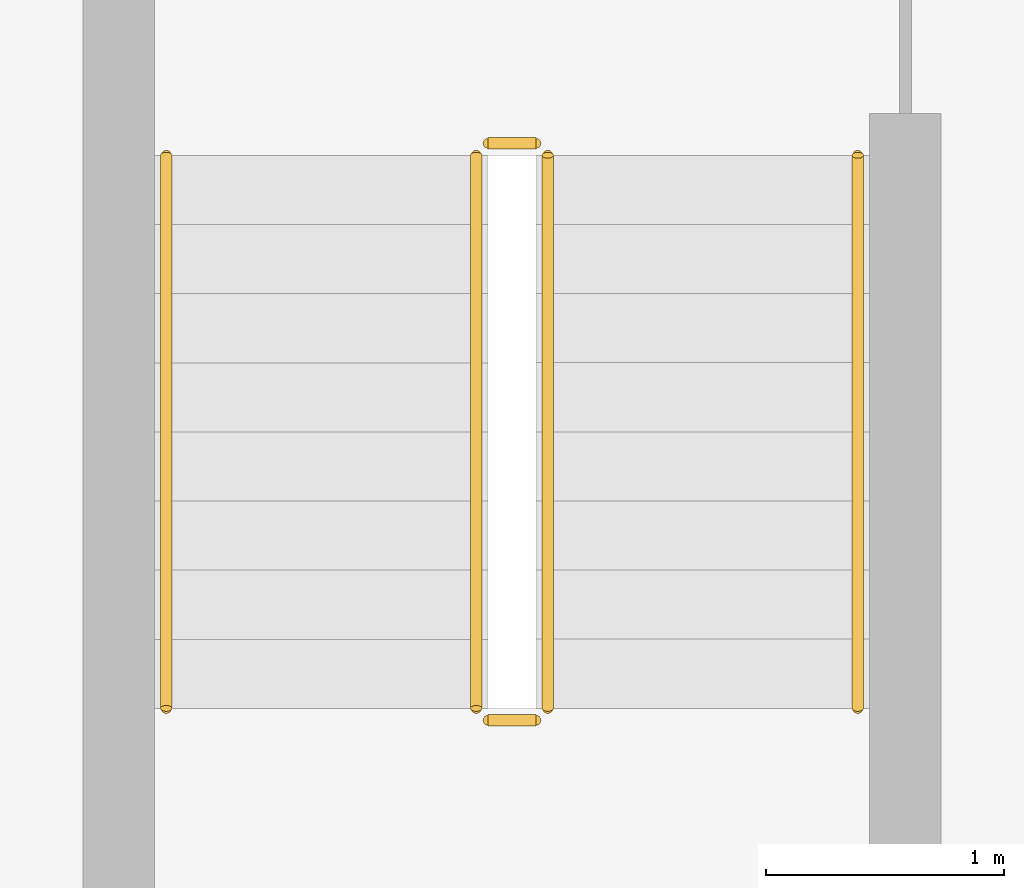
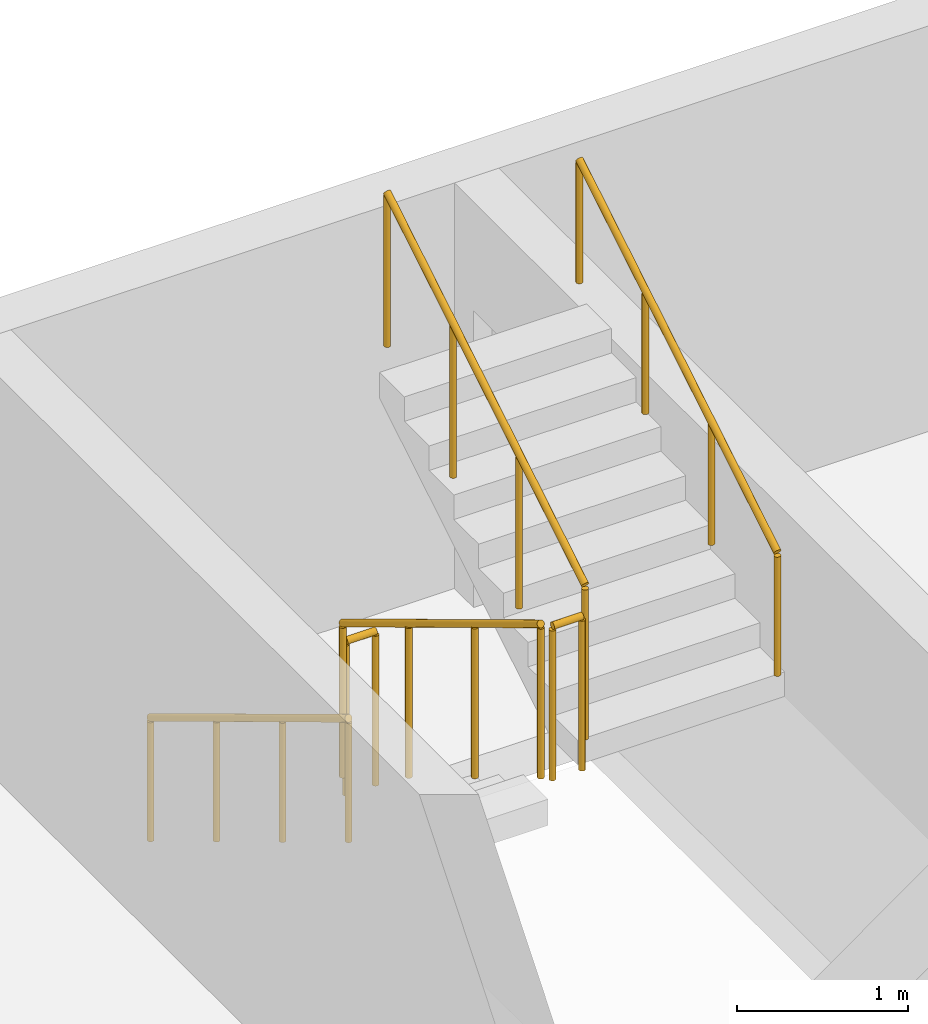
# One storey, part 24 of 29: 6 railings.
"""IFC4 building model written with IfcOpenShell, lengths in metres."""

from ifc_helpers import new_model, si_unit, derived_unit, direction, frame, origin, origin_2d, place, context, subcontext, project, spatial, circle, extrude, material, type_object, element, save


model = new_model("IFC4")

# Units and contexts
model_context = context("Model", 3, precision=1e-05, world=origin(), true_north=direction((0.0, 1.0)))
body_context = subcontext(model_context, "Body", "Model", "MODEL_VIEW")
ifc_project = project(units=[si_unit("LENGTHUNIT", "METRE"), si_unit("AREAUNIT", "SQUARE_METRE"), si_unit("VOLUMEUNIT", "CUBIC_METRE"), si_unit("PLANEANGLEUNIT", "RADIAN"), si_unit("MASSUNIT", "GRAM", prefix="KILO"), derived_unit("THERMALTRANSMITTANCEUNIT", [(si_unit("MASSUNIT", "GRAM", prefix="KILO"), 1), (si_unit("TIMEUNIT", "SECOND"), -3), (si_unit("THERMODYNAMICTEMPERATUREUNIT", "KELVIN"), -1)])], contexts=[model_context])

# Site, building, storey
site_placement = place(None, origin())
site = spatial("IfcSite", under=ifc_project, at=site_placement, CompositionType="ELEMENT")
building_placement = place(site_placement, origin())
building = spatial("IfcBuilding", under=site, at=building_placement, Name="Ochrekiln Boulevard Commons", CompositionType="ELEMENT")
storey_placement = place(building_placement, frame((0.0, 0.0, 37.27490234375)))
storey = spatial("IfcBuildingStorey", under=building, at=storey_placement, Name="L11", CompositionType="ELEMENT", Elevation=37.27490234375)

# Railings
ifc_material = material(Name="Brushed stainless steel 316 tubular railing", Category="steel")
railing_type_1 = type_object("IfcRailingType", Name="RLG-HDR-900", PredefinedType="HANDRAIL", material=ifc_material)
railing_1_placement = place(storey_placement, frame((6.449951171875, 116.929931640625, 0.175048828125)))
element("IfcRailing", 1, at=railing_1_placement, inside=storey, type_object=railing_type_1, Name="L11 ST-A2 stair handrail 1", PredefinedType="HANDRAIL", context=body_context, shape_type="SweptSolid", body=[
    extrude(circle(Radius=0.02392578125, at=origin_2d()), frame((0.0, 0.0, 0.8759765625), z_axis=(0.0, -0.856146426353, 0.516733293531), x_axis=(1.0, 0.0, 0.0)), (0.0, 0.0, 1.0), 2.709716796875),
    extrude(circle(Radius=0.02099609375, at=origin_2d()), origin(), (0.0, 0.0, 1.0), 0.851806640625),
    extrude(circle(Radius=0.02099609375, at=origin_2d()), frame((0.0, -0.773193359375, 0.466796875)), (0.0, 0.0, 1.0), 0.851806640625),
    extrude(circle(Radius=0.02099609375, at=origin_2d()), frame((0.0, -1.546630859375, 0.933349609375)), (0.0, 0.0, 1.0), 0.851806640625),
    extrude(circle(Radius=0.02099609375, at=origin_2d()), frame((0.0, -2.31982421875, 1.400146484375)), (0.0, 0.0, 1.0), 0.851806640625),
])
railing_2_placement = place(storey_placement, frame((9.35009765625, 114.610107421875, 1.75)))
element("IfcRailing", 2, at=railing_2_placement, inside=storey, type_object=railing_type_1, Name="L11 ST-A2 stair handrail 2", PredefinedType="HANDRAIL", context=body_context, shape_type="SweptSolid", body=[
    extrude(circle(Radius=0.02392578125, at=origin_2d()), frame((0.0, 0.0, 0.8759765625), z_axis=(0.0, 0.856146426353, 0.516733293531), x_axis=(-1.0, 0.0, 0.0)), (0.0, 0.0, 1.0), 2.709716796875),
    extrude(circle(Radius=0.02099609375, at=origin_2d()), origin(), (0.0, 0.0, 1.0), 0.851806640625),
    extrude(circle(Radius=0.02099609375, at=origin_2d()), frame((0.0, 0.773193359375, 0.466796875)), (0.0, 0.0, 1.0), 0.851806640625),
    extrude(circle(Radius=0.02099609375, at=origin_2d()), frame((0.0, 1.546630859375, 0.933349609375)), (0.0, 0.0, 1.0), 0.851806640625),
    extrude(circle(Radius=0.02099609375, at=origin_2d()), frame((0.0, 2.31982421875, 1.400146484375)), (0.0, 0.0, 1.0), 0.851806640625),
])
railing_type_2 = type_object("IfcRailingType", Name="RLG-STR-1120", PredefinedType="BALUSTRADE", material=ifc_material)
railing_3_placement = place(storey_placement, frame((7.75, 116.929931640625, 0.175048828125)))
element("IfcRailing", 3, at=railing_3_placement, inside=storey, type_object=railing_type_2, Name="L11 ST-A2 stair guard 1", PredefinedType="BALUSTRADE", context=body_context, shape_type="SweptSolid", body=[
    extrude(circle(Radius=0.02392578125, at=origin_2d()), frame((0.0, 0.0, 1.09619140625), z_axis=(0.0, -0.856146426353, 0.516733293531), x_axis=(1.0, 0.0, 0.0)), (0.0, 0.0, 1.0), 2.709716796875),
    extrude(circle(Radius=0.02099609375, at=origin_2d()), origin(), (0.0, 0.0, 1.0), 1.072021484375),
    extrude(circle(Radius=0.02099609375, at=origin_2d()), frame((0.0, -0.773193359375, 0.466796875)), (0.0, 0.0, 1.0), 1.072021484375),
    extrude(circle(Radius=0.02099609375, at=origin_2d()), frame((0.0, -1.546630859375, 0.933349609375)), (0.0, 0.0, 1.0), 1.072021484375),
    extrude(circle(Radius=0.02099609375, at=origin_2d()), frame((0.0, -2.31982421875, 1.400146484375)), (0.0, 0.0, 1.0), 1.072021484375),
])
railing_4_placement = place(storey_placement, frame((7.800048828125, 114.56005859375, 1.5751953125)))
element("IfcRailing", 4, at=railing_4_placement, inside=storey, type_object=railing_type_2, Name="L11 ST-A2 stair guard 2", PredefinedType="BALUSTRADE", context=body_context, shape_type="SweptSolid", body=[
    extrude(circle(Radius=0.02392578125, at=origin_2d()), frame((0.0, 0.0, 1.09619140625), z_axis=(1.0, 0.0, 0.0), x_axis=(0.0, 1.0, 0.0)), (0.0, 0.0, 1.0), 0.199951171875),
    extrude(circle(Radius=0.02099609375, at=origin_2d()), origin(), (0.0, 0.0, 1.0), 1.072021484375),
    extrude(circle(Radius=0.02099609375, at=origin_2d()), frame((0.199951171875, 0.0, 0.0)), (0.0, 0.0, 1.0), 1.072021484375),
])
railing_5_placement = place(storey_placement, frame((8.050048828125, 114.610107421875, 1.75)))
element("IfcRailing", 5, at=railing_5_placement, inside=storey, type_object=railing_type_2, Name="L11 ST-A2 stair guard 3", PredefinedType="BALUSTRADE", context=body_context, shape_type="SweptSolid", body=[
    extrude(circle(Radius=0.02392578125, at=origin_2d()), frame((0.0, 0.0, 1.09619140625), z_axis=(0.0, 0.856146426353, 0.516733293531), x_axis=(-1.0, 0.0, 0.0)), (0.0, 0.0, 1.0), 2.709716796875),
    extrude(circle(Radius=0.02099609375, at=origin_2d()), origin(), (0.0, 0.0, 1.0), 1.072021484375),
    extrude(circle(Radius=0.02099609375, at=origin_2d()), frame((0.0, 0.773193359375, 0.466796875)), (0.0, 0.0, 1.0), 1.072021484375),
    extrude(circle(Radius=0.02099609375, at=origin_2d()), frame((0.0, 1.546630859375, 0.933349609375)), (0.0, 0.0, 1.0), 1.072021484375),
    extrude(circle(Radius=0.02099609375, at=origin_2d()), frame((0.0, 2.31982421875, 1.400146484375)), (0.0, 0.0, 1.0), 1.072021484375),
])
railing_6_placement = place(storey_placement, frame((7.800048828125, 116.97998046875, 0.0)))
element("IfcRailing", 6, at=railing_6_placement, inside=storey, type_object=railing_type_2, Name="L11 ST-A2 stair guard 4", PredefinedType="BALUSTRADE", context=body_context, shape_type="SweptSolid", body=[
    extrude(circle(Radius=0.02392578125, at=origin_2d()), frame((0.0, 0.0, 1.09619140625), z_axis=(1.0, 0.0, 0.0), x_axis=(0.0, 1.0, 0.0)), (0.0, 0.0, 1.0), 0.199951171875),
    extrude(circle(Radius=0.02099609375, at=origin_2d()), origin(), (0.0, 0.0, 1.0), 1.072021484375),
    extrude(circle(Radius=0.02099609375, at=origin_2d()), frame((0.199951171875, 0.0, 0.0)), (0.0, 0.0, 1.0), 1.072021484375),
])

save(model, "model.ifc")
